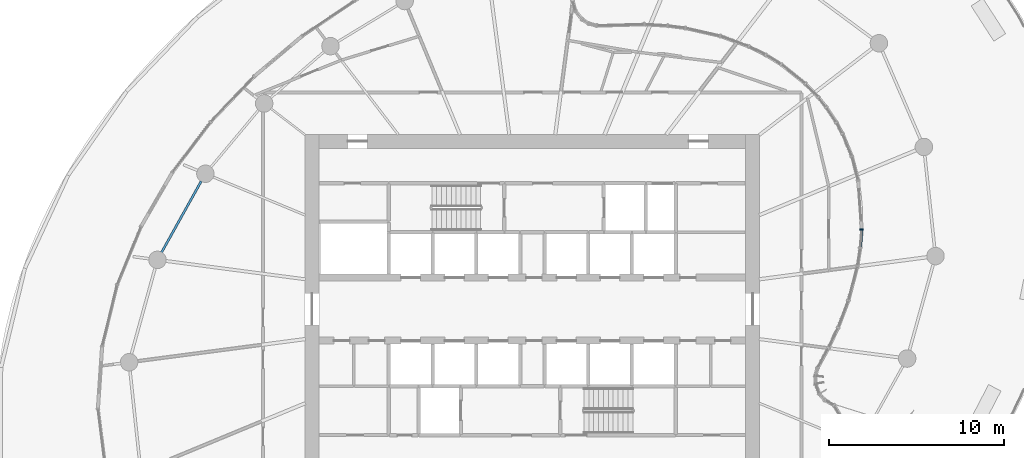
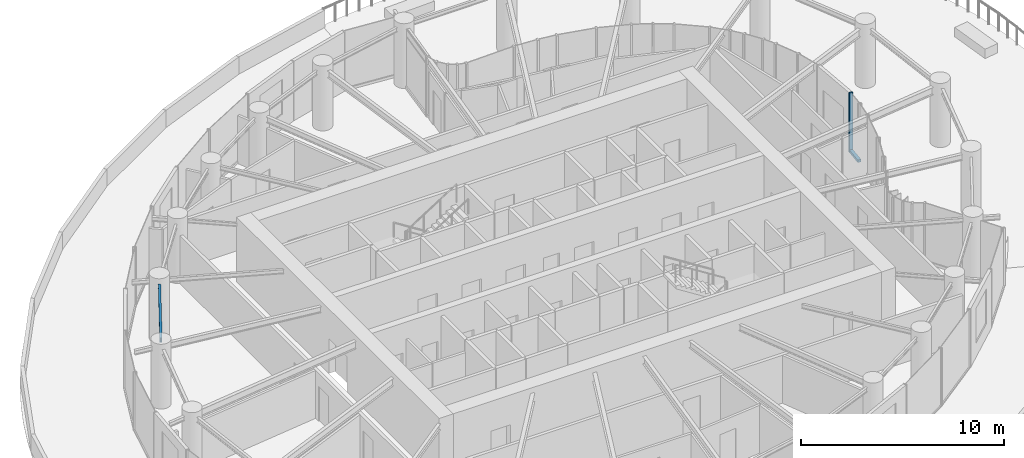
# One storey, part 4 of 21: 2 members, 1 beam, 2 elements without a shape of their own.
"""IFC4 building model written with IfcOpenShell, lengths in metres."""

import ifcopenshell
import ifcopenshell.guid

model = None  # the IFC model being written
_history = None  # IfcOwnerHistory: only IFC2X3 demands one
_inside = {}  # id of a spatial element -> (the spatial element, [elements in it])
_under = {}  # id of a project, library or spatial element -> (it, [spatial elements below it])
_declared = {}  # id of a project -> (the project, [libraries it declares])
_typed = {}  # id of a type object -> (the type object, [elements of that type])
_made_of = {}  # id of a material, layer set ... -> (it, [elements and type objects made of it])


def new_model(schema):
    """Start an empty IFC model of exactly this schema.

    Asked for "IFC4X3", IfcOpenShell would pick the latest addendum, in which some entities
    have other attributes; the version numbers below select the first issue.
    IFC2X3 requires an IfcOwnerHistory on every rooted entity: one is made here for all.
    """
    global model, _history
    if schema == "IFC4X3":
        model = ifcopenshell.file(schema_version=(4, 3, 0, 0))
    else:
        model = ifcopenshell.file(schema=schema)
    _inside.clear()
    _under.clear()
    _declared.clear()
    _typed.clear()
    _made_of.clear()
    _history = None
    if model.schema == "IFC2X3":
        org = make("IfcOrganization", Name="unknown")
        user = make(
            "IfcPersonAndOrganization",
            ThePerson=make("IfcPerson", FamilyName="unknown"),
            TheOrganization=org,
        )
        app = make(
            "IfcApplication",
            ApplicationDeveloper=org,
            Version="unknown",
            ApplicationFullName="unknown",
            ApplicationIdentifier="unknown",
        )
        _history = make(
            "IfcOwnerHistory",
            OwningUser=user,
            OwningApplication=app,
            ChangeAction="ADDED",
            CreationDate=0,
        )
    return model


def make(cls, **values):
    """One entity of the class cls with the attributes given. An attribute that is None is left unset."""
    return model.create_entity(
        cls, **{name: value for name, value in values.items() if value is not None}
    )


def rooted(cls, **values):
    """An entity with a GlobalId (a new one), such as an element, a storey or a relation."""
    return make(cls, GlobalId=ifcopenshell.guid.new(), OwnerHistory=_history, **values)


def si_unit(unit_type, name, prefix=None):
    """IfcSIUnit, for example si_unit("LENGTHUNIT", "METRE", prefix="MILLI")."""
    return make("IfcSIUnit", UnitType=unit_type, Prefix=prefix, Name=name)


def assignment(units):
    """IfcUnitAssignment: the units of a project."""
    return None if units is None else make("IfcUnitAssignment", Units=units)


def point(xyz):
    """IfcCartesianPoint."""
    return None if xyz is None else make("IfcCartesianPoint", Coordinates=xyz)


def direction(xyz):
    """IfcDirection."""
    return None if xyz is None else make("IfcDirection", DirectionRatios=xyz)


def frame(location, z_axis=None, x_axis=None):
    """IfcAxis2Placement3D, a coordinate frame: its origin and axes. An axis left out is left unset."""
    return make(
        "IfcAxis2Placement3D",
        Location=point(location),
        Axis=direction(z_axis),
        RefDirection=direction(x_axis),
    )


def frame_2d(location, x_axis=None):
    """IfcAxis2Placement2D, a coordinate frame in the plane: its origin and x axis."""
    return make(
        "IfcAxis2Placement2D", Location=point(location), RefDirection=direction(x_axis)
    )


def origin():
    """The frame at (0, 0, 0) with its axes left unset."""
    return frame((0.0, 0.0, 0.0))


def origin_2d():
    """The frame at (0, 0) in the plane with its x axis left unset."""
    return frame_2d((0.0, 0.0))


def place(relative_to, where):
    """IfcLocalPlacement: puts the frame where relative to a parent placement (None: the world)."""
    return make(
        "IfcLocalPlacement", PlacementRelTo=relative_to, RelativePlacement=where
    )


def context(
    kind, dimensions, precision=None, world=None, true_north=None, identifier=None
):
    """IfcGeometricRepresentationContext, for example the 3D "Model" context."""
    return make(
        "IfcGeometricRepresentationContext",
        ContextIdentifier=identifier,
        ContextType=kind,
        CoordinateSpaceDimension=dimensions,
        Precision=precision,
        WorldCoordinateSystem=world,
        TrueNorth=true_north,
    )


def subcontext(parent, identifier, kind, view, scale=None):
    """IfcGeometricRepresentationSubContext, for example "Body" below "Model"."""
    return make(
        "IfcGeometricRepresentationSubContext",
        ContextIdentifier=identifier,
        ContextType=kind,
        ParentContext=parent,
        TargetScale=scale,
        TargetView=view,
    )


def project(units=None, contexts=None):
    """IfcProject with its units and contexts."""
    return rooted(
        "IfcProject",
        Name="project",
        RepresentationContexts=contexts,
        UnitsInContext=assignment(units),
    )


def spatial(cls, under=None, at=None, **own):
    """A site, building, storey or space (cls), placed at a placement, below another one or the project."""
    s = rooted(cls, ObjectPlacement=at, **own)
    if under is not None:
        _under.setdefault(under.id(), (under, []))[1].append(s)
    return s


def profile(cls, at=None, kind="AREA", **sizes):
    """A parametric profile (cls). Its sizes go by their IFC names, for example OverallWidth=200.0."""
    return make(cls, ProfileType=kind, Position=at, **sizes)


def rectangle(**sizes):
    """IfcRectangleProfileDef."""
    return profile("IfcRectangleProfileDef", **sizes)


def i_section(**sizes):
    """IfcIShapeProfileDef."""
    return profile("IfcIShapeProfileDef", **sizes)


def extrude(swept, where, along, depth):
    """IfcExtrudedAreaSolid: the profile swept, set in the frame where, extruded along a direction by depth."""
    return make(
        "IfcExtrudedAreaSolid",
        SweptArea=swept,
        Position=where,
        ExtrudedDirection=direction(along),
        Depth=depth,
    )


def shape(context_of_items, identifier, shape_type, items):
    """IfcShapeRepresentation: the items that make up one representation, for example the "Body"."""
    return make(
        "IfcShapeRepresentation",
        ContextOfItems=context_of_items,
        RepresentationIdentifier=identifier,
        RepresentationType=shape_type,
        Items=items,
    )


def source(mapping_origin, context_of_items, identifier, shape_type, items):
    """IfcRepresentationMap: a shape defined once, which mapped items show again and again."""
    return make(
        "IfcRepresentationMap",
        MappingOrigin=mapping_origin,
        MappedRepresentation=shape(context_of_items, identifier, shape_type, items),
    )


def transform(
    local_origin,
    x_axis=None,
    y_axis=None,
    z_axis=None,
    scale=None,
    scale2=None,
    scale3=None,
    uniform=True,
):
    """IfcCartesianTransformationOperator3D, or its non-uniform kind. x_axis, y_axis, z_axis: its Axis1, 2, 3."""
    if uniform:
        return make(
            "IfcCartesianTransformationOperator3D",
            Axis1=direction(x_axis),
            Axis2=direction(y_axis),
            LocalOrigin=point(local_origin),
            Scale=scale,
            Axis3=direction(z_axis),
        )
    return make(
        "IfcCartesianTransformationOperator3DnonUniform",
        Axis1=direction(x_axis),
        Axis2=direction(y_axis),
        LocalOrigin=point(local_origin),
        Scale=scale,
        Axis3=direction(z_axis),
        Scale2=scale2,
        Scale3=scale3,
    )


def mapped(mapping_source, mapping_target):
    """IfcMappedItem: shows the shape of a source again, moved by a transform."""
    return make(
        "IfcMappedItem", MappingSource=mapping_source, MappingTarget=mapping_target
    )


def material(Name=None, Category=None):
    """IfcMaterial."""
    return make("IfcMaterial", Name=Name, Category=Category)


def layer(
    of_material, thickness, ventilated=None, Name=None, Category=None, Priority=None
):
    """IfcMaterialLayer: one layer of a wall or slab, of a material (None: an air gap)."""
    return make(
        "IfcMaterialLayer",
        Material=of_material,
        LayerThickness=thickness,
        IsVentilated=ventilated,
        Name=Name,
        Category=Category,
        Priority=Priority,
    )


def layer_set(layers, Name=None):
    """IfcMaterialLayerSet."""
    return make("IfcMaterialLayerSet", MaterialLayers=layers, LayerSetName=Name)


def material_profile(
    of_material, cross_section, Name=None, Category=None, Priority=None
):
    """IfcMaterialProfile: a cross section and its material."""
    return make(
        "IfcMaterialProfile",
        Name=Name,
        Material=of_material,
        Profile=cross_section,
        Priority=Priority,
        Category=Category,
    )


def profile_set(profiles, Name=None, composite=None):
    """IfcMaterialProfileSet."""
    return make(
        "IfcMaterialProfileSet",
        Name=Name,
        MaterialProfiles=profiles,
        CompositeProfile=composite,
    )


def made_of(thing, what):
    """Note that an element or type object is made of a material, layer set ...; save() writes the relation."""
    if what is not None:
        _made_of.setdefault(what.id(), (what, []))[1].append(thing)
    return thing


def type_object(cls, material=None, **own):
    """A type object (cls), such as IfcWallType, which elements share."""
    return made_of(rooted(cls, **own), material)


def element(
    cls,
    number,
    at=None,
    inside=None,
    cuts=None,
    type_object=None,
    material=None,
    context=None,
    identifier="Body",
    shape_type=None,
    held_by="IfcProductDefinitionShape",
    body=None,
    shapes=None,
    **own,
):
    """One element of the class cls, such as IfcWall. Its Tag is "e" and its number.

    at: its placement. inside: the storey or other place that contains it. cuts: it is an
    opening in that element (IfcRelVoidsElement). A single representation is given by context,
    identifier, shape_type and body (its items); several are given by shapes. held_by: the class
    of the entity that holds the representations. save() writes the other relations.
    """
    e = rooted(cls, Tag="e%d" % number, ObjectPlacement=at, **own)
    if body is not None:
        shapes = [shape(context, identifier, shape_type, body)]
    if shapes is not None:
        e.Representation = make(held_by, Representations=shapes)
    if inside is not None:
        _inside.setdefault(inside.id(), (inside, []))[1].append(e)
    if cuts is not None:
        rooted(
            "IfcRelVoidsElement", RelatingBuildingElement=cuts, RelatedOpeningElement=e
        )
    if type_object is not None:
        _typed.setdefault(type_object.id(), (type_object, []))[1].append(e)
    return made_of(e, material)


def aggregate(whole, parts):
    """IfcRelAggregates: a whole, such as a stair, and the parts it consists of."""
    return rooted("IfcRelAggregates", RelatingObject=whole, RelatedObjects=parts)


def save(model, path):
    """Write the relations noted so far, then the file.

    IfcRelAggregates (storeys below a building ...), IfcRelContainedInSpatialStructure (elements
    in a storey), IfcRelDefinesByType, IfcRelAssociatesMaterial and IfcRelDeclares: one each for
    every whole, place, type object, material and project.
    """
    for whole, parts in _under.values():
        aggregate(whole, parts)
    for where, things in _inside.values():
        rooted(
            "IfcRelContainedInSpatialStructure",
            RelatedElements=things,
            RelatingStructure=where,
        )
    for kind, things in _typed.values():
        rooted("IfcRelDefinesByType", RelatedObjects=things, RelatingType=kind)
    for what, things in _made_of.values():
        rooted("IfcRelAssociatesMaterial", RelatedObjects=things, RelatingMaterial=what)
    for by, libraries in _declared.values():
        rooted("IfcRelDeclares", RelatingContext=by, RelatedDefinitions=libraries)
    model.write(path)


model = new_model("IFC4")

# Units and contexts
model_context = context("Model", 3, precision=1e-05, world=origin(), true_north=direction((0.0, 1.0)))
body_context = subcontext(model_context, "Body", "Model", "MODEL_VIEW")
ifc_project = project(units=[si_unit("LENGTHUNIT", "METRE"), si_unit("AREAUNIT", "SQUARE_METRE"), si_unit("VOLUMEUNIT", "CUBIC_METRE"), si_unit("PLANEANGLEUNIT", "RADIAN"), si_unit("MASSUNIT", "GRAM", prefix="KILO")], contexts=[model_context])

# Site, building, storey
site_placement = place(None, origin())
site = spatial("IfcSite", under=ifc_project, at=site_placement, CompositionType="ELEMENT")
building_placement = place(site_placement, origin())
building = spatial("IfcBuilding", under=site, at=building_placement, Name="Spindrift Exchange Tower", CompositionType="ELEMENT")
storey_placement = place(building_placement, frame((0.0, 0.0, 133.10009765625)))
storey = spatial("IfcBuildingStorey", under=building, at=storey_placement, Name="L31", CompositionType="ELEMENT", Elevation=133.10009765625)

# Beam
ifc_material_1 = material(Name="Steel Grade 300", Category="steel")
ifc_material_profile_1 = material_profile(ifc_material_1, i_section(OverallWidth=0.1240234375, OverallDepth=0.248046875, WebThickness=0.0048828125, FlangeThickness=0.008056640625, FilletRadius=0.011962890625, at=origin_2d()), Name="250UB25.7")
ifc_profile_set_1 = profile_set([ifc_material_profile_1], Name="Steel Grade 300")
beam_type = type_object("IfcBeamType", Name="Edge Beam 250UB25.7 Steel Grade 300", PredefinedType="SPANDREL", material=ifc_profile_set_1)
shared_shape_1 = source(origin(), body_context, "Body", "SweptSolid", [
    extrude(i_section(OverallWidth=0.1240234375, OverallDepth=0.248046875, WebThickness=0.0048828125, FlangeThickness=0.008056640625, FilletRadius=0.011962890625, at=origin_2d()), origin(), (0.0, 0.0, 1.0), 4.6748046875),
])
beam_placement = place(storey_placement, frame((33.067138671875, 55.326171875, 3.455810546875), z_axis=(-0.486587145143, -0.873632045075, 0.0), x_axis=(0.873632045075, -0.486587145143, 0.0)))
element("IfcBeam", 1, at=beam_placement, inside=storey, type_object=beam_type, Name="L31 edge beam E11", PredefinedType="SPANDREL", context=body_context, shape_type="MappedRepresentation", body=[
    mapped(shared_shape_1, transform((0.0, 0.0, 0.0), scale=1.0)),
])

# Curtain wall, member
ifc_material_2 = material(Name="Fritted laminated glass with bronze frame", Category="glass")
ifc_layer = layer(ifc_material_2, 0.199951171875)
ifc_layer_set = layer_set([ifc_layer], Name="SKY GARDEN BRONZE GLAZED WALL")
curtain_wall_type = type_object("IfcCurtainWallType", Name="SKY GARDEN BRONZE GLAZED WALL", PredefinedType="NOTDEFINED", material=ifc_layer_set)
curtain_wall_1_placement = place(storey_placement, origin())
curtain_wall_1 = element("IfcCurtainWall", 2, at=curtain_wall_1_placement, inside=storey, type_object=curtain_wall_type, Name="L31 Sky Garden Bronze Glazed Wall run 8", PredefinedType="NOTDEFINED")
ifc_material_3 = material(Name="Bronze anodised aluminium", Category="aluminium")
ifc_material_profile_2 = material_profile(ifc_material_3, rectangle(XDim=0.0849609375, YDim=0.199951171875, at=origin_2d()), Name="SKY GARDEN BRONZE GLAZED WALL MULLION 85X200")
ifc_profile_set_2 = profile_set([ifc_material_profile_2], Name="Bronze anodised aluminium")
member_type_1 = type_object("IfcMemberType", Name="SKY GARDEN BRONZE GLAZED WALL MULLION 85X200", PredefinedType="MULLION", material=ifc_profile_set_2)
shared_shape_2 = source(origin(), body_context, "Body", "SweptSolid", [
    extrude(rectangle(XDim=0.0849609375, YDim=0.199951171875, at=origin_2d()), origin(), (0.0, 0.0, 1.0), 3.579833984375),
])
member_1_placement = place(storey_placement, frame((70.839111328125, 52.551513671875, 0.0), z_axis=(0.0, 0.0, 1.0), x_axis=(0.00465233418, 0.999989177835, 0.0)))
member_1 = element("IfcMember", 3, at=member_1_placement, type_object=member_type_1, Name="L31 mullion CW-G.40", PredefinedType="MULLION", context=body_context, shape_type="MappedRepresentation", body=[
    mapped(shared_shape_2, transform((0.0, 0.0, 0.0), scale=1.0)),
])
aggregate(curtain_wall_1, [member_1])

curtain_wall_2_placement = place(storey_placement, origin())
curtain_wall_2 = element("IfcCurtainWall", 4, at=curtain_wall_2_placement, inside=storey, type_object=curtain_wall_type, Name="L31 Sky Garden Bronze Glazed Wall run 7", PredefinedType="NOTDEFINED")
ifc_material_profile_3 = material_profile(ifc_material_3, rectangle(XDim=0.179931640625, YDim=0.14990234375, at=origin_2d()), Name="SKY GARDEN BRONZE GLAZED WALL TRANSOM 180X150")
ifc_profile_set_3 = profile_set([ifc_material_profile_3], Name="Bronze anodised aluminium")
member_type_2 = type_object("IfcMemberType", Name="SKY GARDEN BRONZE GLAZED WALL TRANSOM 180X150", PredefinedType="USERDEFINED", material=ifc_profile_set_3)
shared_shape_3 = source(origin(), body_context, "Body", "SweptSolid", [
    extrude(rectangle(XDim=0.179931640625, YDim=0.14990234375, at=origin_2d()), origin(), (0.0, 0.0, 1.0), 0.965576171875),
])
member_2_placement = place(storey_placement, frame((70.757568359375, 51.546875, 0.074951171875), z_axis=(0.080910915238, 0.996721337082, 0.0), x_axis=(-0.996721337082, 0.080910915238, 0.0)))
member_2 = element("IfcMember", 5, at=member_2_placement, type_object=member_type_2, Name="L31 transom CW-G.39", ObjectType="TRANSOM", PredefinedType="USERDEFINED", context=body_context, shape_type="MappedRepresentation", body=[
    mapped(shared_shape_3, transform((0.0, 0.0, 0.0), scale=1.0)),
])
aggregate(curtain_wall_2, [member_2])

save(model, "model.ifc")
